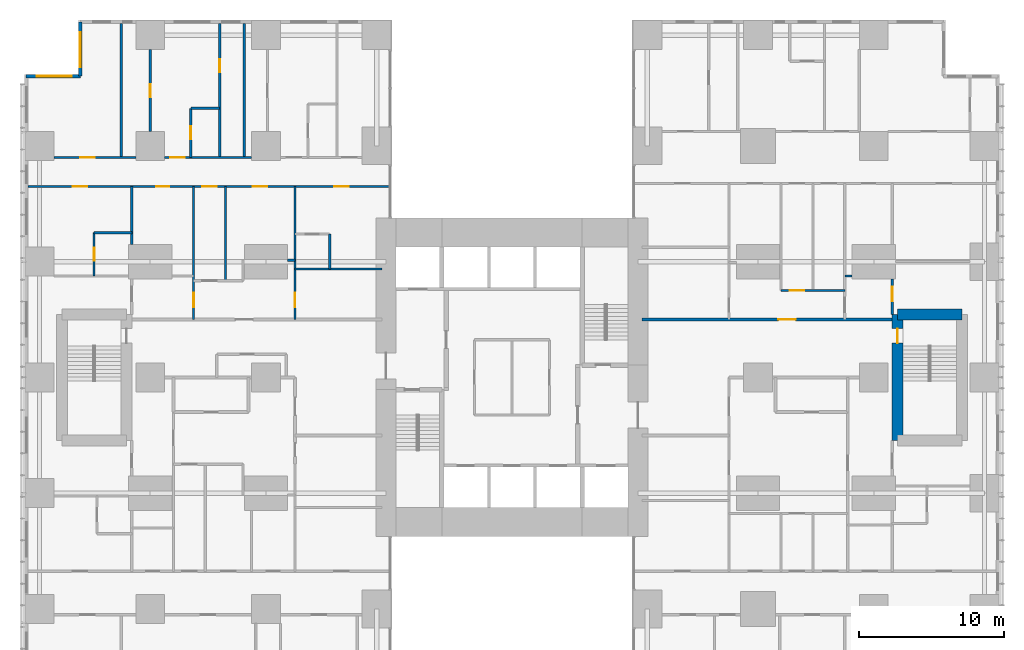
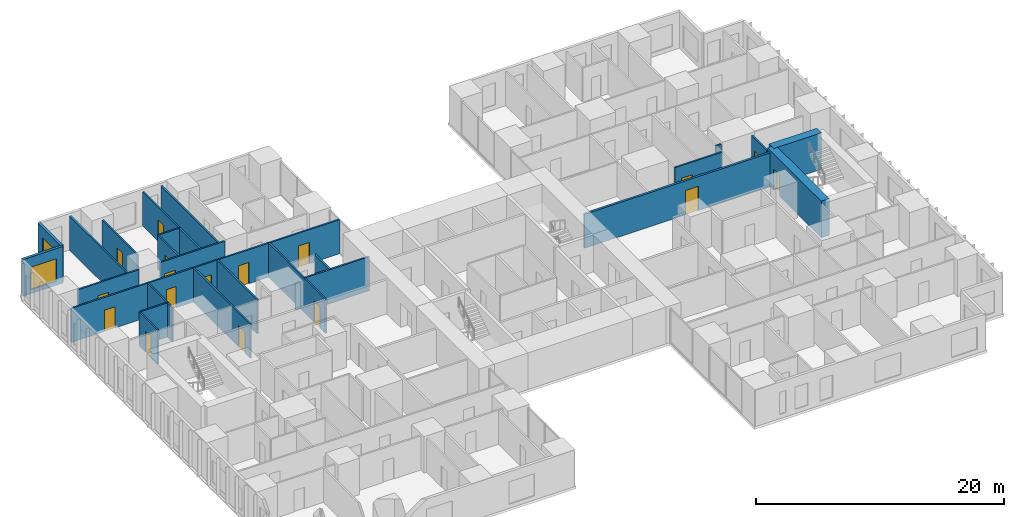
# One storey, part 16 of 20: 26 walls, 17 doors, 2 windows, 19 openings.
"""IFC4 building model written with IfcOpenShell, lengths in metres."""

from ifc_helpers import new_model, si_unit, direction, frame, frame_2d, origin, place, context, subcontext, project, spatial, rectangle, extrude, material, layer, layer_set, type_object, element, fill, save


model = new_model("IFC4")

# Units and contexts
model_context = context("Model", 3, precision=1e-05, world=origin(), true_north=direction((0.0, 1.0)))
body_context = subcontext(model_context, "Body", "Model", "MODEL_VIEW")
ifc_project = project(units=[si_unit("LENGTHUNIT", "METRE"), si_unit("AREAUNIT", "SQUARE_METRE"), si_unit("VOLUMEUNIT", "CUBIC_METRE"), si_unit("PLANEANGLEUNIT", "RADIAN"), si_unit("MASSUNIT", "GRAM", prefix="KILO")], contexts=[model_context])

# Site, building, storey
site_placement = place(None, origin())
site = spatial("IfcSite", under=ifc_project, at=site_placement, CompositionType="ELEMENT")
building_placement = place(site_placement, origin())
building = spatial("IfcBuilding", under=site, at=building_placement, Name="Cleftline Residences", CompositionType="ELEMENT")
storey_placement = place(building_placement, frame((0.0, 0.0, 114.199951171875)))
storey = spatial("IfcBuildingStorey", under=building, at=storey_placement, Name="L29", CompositionType="ELEMENT", Elevation=114.199951171875)

# Wall, opening, window
ifc_material_1 = material(Name="Rendered reinforced concrete blockwork", Category="masonry")
ifc_layer_1 = layer(ifc_material_1, 0.25)
ifc_layer_set_1 = layer_set([ifc_layer_1], Name="EXTERNAL WALL 250")
wall_type_1 = type_object("IfcWallType", Name="EXTERNAL WALL 250", PredefinedType="SOLIDWALL", material=ifc_layer_set_1)
wall_1_placement = place(storey_placement, frame((3.175048828125, 48.574951171875, 0.0), z_axis=(0.0, 0.0, 1.0), x_axis=(0.0, -1.0, 0.0)))
wall_1 = element("IfcWall", 1, at=wall_1_placement, inside=storey, type_object=wall_type_1, Name="External wall", PredefinedType="SOLIDWALL", context=body_context, shape_type="SweptSolid", body=[
    extrude(rectangle(XDim=3.75, YDim=0.25, at=frame_2d((1.875, 0.0))), origin(), (0.0, 0.0, 1.0), 3.60009765625),
])
opening_1_placement = place(wall_1_placement, frame((0.737548828125, 0.0, 0.39990234375)))
opening_1 = element("IfcOpeningElement", 2, at=opening_1_placement, cuts=wall_1, Name="Opening W12", PredefinedType="OPENING", context=body_context, shape_type="SweptSolid", body=[
    extrude(rectangle(XDim=2.39990234375, YDim=2.199951171875, at=frame_2d((1.199951171875, 1.10009765625))), frame((0.0, 0.135009765625, 0.0), z_axis=(0.0, -1.0, 0.0), x_axis=(1.0, 0.0, 0.0)), (0.0, 0.0, 1.0), 0.27001953125),
])
ifc_material_2 = material(Name="Aluminium frame, clear double glazing", Category="aluminium")
window_type = type_object("IfcWindowType", Name="WINDOW 2400X2200", PartitioningType="DOUBLE_PANEL_VERTICAL", PredefinedType="WINDOW", material=ifc_material_2)
window_1_placement = place(opening_1_placement, origin())
window_1 = element("IfcWindow", 3, at=window_1_placement, inside=storey, type_object=window_type, Name="Window", OverallHeight=2.199951171875, OverallWidth=2.39990234375, PartitioningType="SINGLE_PANEL", PredefinedType="WINDOW", context=body_context, shape_type="SweptSolid", body=[
    extrude(rectangle(XDim=2.39990234375, YDim=2.199951171875, at=frame_2d((1.199951171875, 1.10009765625))), frame((0.0, 0.030029296875, 0.0), z_axis=(0.0, -1.0, 0.0), x_axis=(1.0, 0.0, 0.0)), (0.0, 0.0, 1.0), 0.06005859375),
])
fill(opening_1, window_1)

wall_2_placement = place(storey_placement, frame((3.175048828125, 44.824951171875, 0.0), z_axis=(0.0, 0.0, 1.0), x_axis=(-1.0, 0.0, 0.0)))
wall_2 = element("IfcWall", 4, at=wall_2_placement, inside=storey, type_object=wall_type_1, Name="External wall", PredefinedType="SOLIDWALL", context=body_context, shape_type="SweptSolid", body=[
    extrude(rectangle(XDim=3.75, YDim=0.25, at=frame_2d((1.875, 0.0))), origin(), (0.0, 0.0, 1.0), 3.60009765625),
])
opening_2_placement = place(wall_2_placement, frame((0.612548828125, 0.0, 0.39990234375)))
opening_2 = element("IfcOpeningElement", 5, at=opening_2_placement, cuts=wall_2, Name="Opening W12", PredefinedType="OPENING", context=body_context, shape_type="SweptSolid", body=[
    extrude(rectangle(XDim=2.39990234375, YDim=2.199951171875, at=frame_2d((1.199951171875, 1.10009765625))), frame((0.0, 0.135009765625, 0.0), z_axis=(0.0, -1.0, 0.0), x_axis=(1.0, 0.0, 0.0)), (0.0, 0.0, 1.0), 0.27001953125),
])
window_2_placement = place(opening_2_placement, origin())
window_2 = element("IfcWindow", 6, at=window_2_placement, inside=storey, type_object=window_type, Name="Window", OverallHeight=2.199951171875, OverallWidth=2.39990234375, PartitioningType="SINGLE_PANEL", PredefinedType="WINDOW", context=body_context, shape_type="SweptSolid", body=[
    extrude(rectangle(XDim=2.39990234375, YDim=2.199951171875, at=frame_2d((1.199951171875, 1.10009765625))), frame((0.0, 0.030029296875, 0.0), z_axis=(0.0, -1.0, 0.0), x_axis=(1.0, 0.0, 0.0)), (0.0, 0.0, 1.0), 0.06005859375),
])
fill(opening_2, window_2)

# Wall, opening, door
ifc_material_3 = material(Name="Concrete blockwork, fire rated", Category="masonry")
ifc_layer_2 = layer(ifc_material_3, 0.199951171875)
ifc_layer_set_2 = layer_set([ifc_layer_2], Name="FIRE WALL 200")
wall_type_2 = type_object("IfcWallType", Name="FIRE WALL 200", PredefinedType="PARTITIONING", material=ifc_layer_set_2)
wall_3_placement = place(storey_placement, frame((42.0, 28.0, 0.0), z_axis=(0.0, 0.0, 1.0), x_axis=(1.0, 0.0, 0.0)))
wall_3 = element("IfcWall", 7, at=wall_3_placement, inside=storey, type_object=wall_type_2, Name="Fire separating wall", PredefinedType="PARTITIONING", context=body_context, shape_type="SweptSolid", body=[
    extrude(rectangle(XDim=17.27490234375, YDim=0.199951171875, at=frame_2d((8.637451171875, 0.0))), origin(), (0.0, 0.0, 1.0), 3.35009765625),
])
opening_3_placement = place(wall_3_placement, frame((9.39990234375, 0.0, 0.0)))
opening_3 = element("IfcOpeningElement", 8, at=opening_3_placement, cuts=wall_3, Name="Opening D4", PredefinedType="OPENING", context=body_context, shape_type="SweptSolid", body=[
    extrude(rectangle(XDim=1.199951171875, YDim=2.39990234375, at=frame_2d((0.60009765625, 1.199951171875))), frame((0.0, 0.10986328125, 0.0), z_axis=(0.0, -1.0, 0.0), x_axis=(1.0, 0.0, 0.0)), (0.0, 0.0, 1.0), 0.219970703125),
])
ifc_material_4 = material(Name="Timber veneer on solid core", Category="wood")
door_type_1 = type_object("IfcDoorType", Name="APARTMENT ENTRANCE DOOR 1200X2400", OperationType="SINGLE_SWING_RIGHT", PredefinedType="DOOR", material=ifc_material_4)
door_1_placement = place(opening_3_placement, origin())
door_1 = element("IfcDoor", 9, at=door_1_placement, inside=storey, type_object=door_type_1, Name="Door to residence entrance foyer", OperationType="SINGLE_SWING_LEFT", OverallHeight=2.39990234375, OverallWidth=1.199951171875, PredefinedType="DOOR", context=body_context, shape_type="SweptSolid", body=[
    extrude(rectangle(XDim=1.199951171875, YDim=2.39990234375, at=frame_2d((0.60009765625, 1.199951171875))), frame((0.0, 0.02490234375, 0.0), z_axis=(0.0, -1.0, 0.0), x_axis=(1.0, 0.0, 0.0)), (0.0, 0.0, 1.0), 0.050048828125),
])
fill(opening_3, door_1)

ifc_material_5 = material(Name="Gypsum board on steel studs", Category="steel")
ifc_layer_3 = layer(ifc_material_5, 0.14990234375)
ifc_layer_set_3 = layer_set([ifc_layer_3], Name="PARTITION 150")
wall_type_3 = type_object("IfcWallType", Name="PARTITION 150", PredefinedType="PARTITIONING", material=ifc_layer_set_3)
wall_4_placement = place(storey_placement, frame((51.60009765625, 30.0, 0.0), z_axis=(0.0, 0.0, 1.0), x_axis=(1.0, 0.0, 0.0)))
wall_4 = element("IfcWall", 10, at=wall_4_placement, inside=storey, type_object=wall_type_3, Name="Partition", PredefinedType="PARTITIONING", context=body_context, shape_type="SweptSolid", body=[
    extrude(rectangle(XDim=4.39990234375, YDim=0.14990234375, at=frame_2d((2.199951171875, 0.0))), origin(), (0.0, 0.0, 1.0), 3.35009765625),
])
opening_4_placement = place(wall_4_placement, frame((0.60009765625, 0.0, 0.0)))
opening_4 = element("IfcOpeningElement", 11, at=opening_4_placement, cuts=wall_4, Name="Opening D2", PredefinedType="OPENING", context=body_context, shape_type="SweptSolid", body=[
    extrude(rectangle(XDim=1.0, YDim=2.10009765625, at=frame_2d((0.5, 1.050048828125))), frame((0.0, 0.0849609375, 0.0), z_axis=(0.0, -1.0, 0.0), x_axis=(1.0, 0.0, 0.0)), (0.0, 0.0, 1.0), 0.169921875),
])
ifc_material_6 = material(Name="Timber veneer on solid core", Category="wood")
door_type_2 = type_object("IfcDoorType", Name="DOOR 1000X2100", OperationType="SINGLE_SWING_LEFT", PredefinedType="DOOR", material=ifc_material_6)
door_2_placement = place(opening_4_placement, origin())
door_2 = element("IfcDoor", 12, at=door_2_placement, inside=storey, type_object=door_type_2, Name="Door to residence passage", OperationType="SINGLE_SWING_RIGHT", OverallHeight=2.10009765625, OverallWidth=1.0, PredefinedType="DOOR", context=body_context, shape_type="SweptSolid", body=[
    extrude(rectangle(XDim=1.0, YDim=2.10009765625, at=frame_2d((0.5, 1.050048828125))), frame((0.0, 0.02490234375, 0.0), z_axis=(0.0, -1.0, 0.0), x_axis=(1.0, 0.0, 0.0)), (0.0, 0.0, 1.0), 0.050048828125),
])
fill(opening_4, door_2)

# Walls
wall_5_placement = place(storey_placement, frame((56.0, 31.0, 0.0), z_axis=(0.0, 0.0, 1.0), x_axis=(1.0, 0.0, 0.0)))
element("IfcWall", 13, at=wall_5_placement, inside=storey, type_object=wall_type_3, Name="Partition", PredefinedType="PARTITIONING", context=body_context, shape_type="SweptSolid", body=[
    extrude(rectangle(XDim=0.5, YDim=0.14990234375, at=frame_2d((0.25, 0.0))), origin(), (0.0, 0.0, 1.0), 3.35009765625),
])
wall_6_placement = place(storey_placement, frame((18.0, 31.5, 0.0), z_axis=(0.0, 0.0, 1.0), x_axis=(1.0, 0.0, 0.0)))
element("IfcWall", 14, at=wall_6_placement, inside=storey, type_object=wall_type_3, Name="Partition", PredefinedType="PARTITIONING", context=body_context, shape_type="SweptSolid", body=[
    extrude(rectangle(XDim=6.0, YDim=0.14990234375, at=frame_2d((3.0, 0.0))), origin(), (0.0, 0.0, 1.0), 3.35009765625),
])
wall_7_placement = place(storey_placement, frame((17.5, 32.10009765625, 0.0), z_axis=(0.0, 0.0, 1.0), x_axis=(1.0, 0.0, 0.0)))
element("IfcWall", 15, at=wall_7_placement, inside=storey, type_object=wall_type_3, Name="Partition", PredefinedType="PARTITIONING", context=body_context, shape_type="SweptSolid", body=[
    extrude(rectangle(XDim=0.5, YDim=0.14990234375, at=frame_2d((0.25, 0.0))), origin(), (0.0, 0.0, 1.0), 2.634033203125),
])
wall_8_placement = place(storey_placement, frame((4.125, 34.0, 0.0), z_axis=(0.0, 0.0, 1.0), x_axis=(1.0, 0.0, 0.0)))
element("IfcWall", 16, at=wall_8_placement, inside=storey, type_object=wall_type_3, Name="Partition", PredefinedType="PARTITIONING", context=body_context, shape_type="SweptSolid", body=[
    extrude(rectangle(XDim=2.60009765625, YDim=0.14990234375, at=frame_2d((1.300048828125, 0.0))), origin(), (0.0, 0.0, 1.0), 3.35009765625),
])

# Wall, openings, doors
wall_9_placement = place(storey_placement, frame((-0.449951171875, 37.199951171875, 0.0), z_axis=(0.0, 0.0, 1.0), x_axis=(1.0, 0.0, 0.0)))
wall_9 = element("IfcWall", 17, at=wall_9_placement, inside=storey, type_object=wall_type_3, Name="Partition", PredefinedType="PARTITIONING", context=body_context, shape_type="SweptSolid", body=[
    extrude(rectangle(XDim=25.010986328125, YDim=0.14990234375, at=frame_2d((12.50537109375, 0.0))), origin(), (0.0, 0.0, 1.0), 3.35009765625),
])
opening_5_placement = place(wall_9_placement, frame((12.050048828125, 0.0, 0.0)))
opening_5 = element("IfcOpeningElement", 18, at=opening_5_placement, cuts=wall_9, Name="Opening D2F30", PredefinedType="OPENING", context=body_context, shape_type="SweptSolid", body=[
    extrude(rectangle(XDim=1.0, YDim=2.10009765625, at=frame_2d((0.5, 1.050048828125))), frame((0.0, 0.0849609375, 0.0), z_axis=(0.0, -1.0, 0.0), x_axis=(1.0, 0.0, 0.0)), (0.0, 0.0, 1.0), 0.169921875),
])
opening_6_placement = place(wall_9_placement, frame((3.08740234375, 0.0, 0.0)))
opening_6 = element("IfcOpeningElement", 19, at=opening_6_placement, cuts=wall_9, Name="Opening D2F30", PredefinedType="OPENING", context=body_context, shape_type="SweptSolid", body=[
    extrude(rectangle(XDim=1.0, YDim=2.10009765625, at=frame_2d((0.5, 1.050048828125))), frame((0.0, 0.0849609375, 0.0), z_axis=(0.0, -1.0, 0.0), x_axis=(1.0, 0.0, 0.0)), (0.0, 0.0, 1.0), 0.169921875),
])
opening_7_placement = place(wall_9_placement, frame((8.862548828125, 0.0, 0.0)))
opening_7 = element("IfcOpeningElement", 20, at=opening_7_placement, cuts=wall_9, Name="Opening D1F30", PredefinedType="OPENING", context=body_context, shape_type="SweptSolid", body=[
    extrude(rectangle(XDim=0.89990234375, YDim=2.10009765625, at=frame_2d((0.449951171875, 1.050048828125))), frame((0.0, 0.0849609375, 0.0), z_axis=(0.0, -1.0, 0.0), x_axis=(1.0, 0.0, 0.0)), (0.0, 0.0, 1.0), 0.169921875),
])
opening_8_placement = place(wall_9_placement, frame((15.550048828125, 0.0, 0.0)))
opening_8 = element("IfcOpeningElement", 21, at=opening_8_placement, cuts=wall_9, Name="Opening D2F30", PredefinedType="OPENING", context=body_context, shape_type="SweptSolid", body=[
    extrude(rectangle(XDim=1.0, YDim=2.10009765625, at=frame_2d((0.5, 1.050048828125))), frame((0.0, 0.0849609375, 0.0), z_axis=(0.0, -1.0, 0.0), x_axis=(1.0, 0.0, 0.0)), (0.0, 0.0, 1.0), 0.169921875),
])
opening_9_placement = place(wall_9_placement, frame((21.175048828125, 0.0, 0.0)))
opening_9 = element("IfcOpeningElement", 22, at=opening_9_placement, cuts=wall_9, Name="Opening D2F30", PredefinedType="OPENING", context=body_context, shape_type="SweptSolid", body=[
    extrude(rectangle(XDim=1.0, YDim=2.10009765625, at=frame_2d((0.5, 1.050048828125))), frame((0.0, 0.0849609375, 0.0), z_axis=(0.0, -1.0, 0.0), x_axis=(1.0, 0.0, 0.0)), (0.0, 0.0, 1.0), 0.169921875),
])
ifc_material_7 = material(Name="Timber veneer on solid core", Category="wood")
door_type_3 = type_object("IfcDoorType", Name="DOOR 1000X2100 EI 30", OperationType="SINGLE_SWING_LEFT", PredefinedType="DOOR", material=ifc_material_7)
door_3_placement = place(opening_5_placement, origin())
door_3 = element("IfcDoor", 23, at=door_3_placement, inside=storey, type_object=door_type_3, Name="Door to residence corridor (bedrooms)", OperationType="SINGLE_SWING_LEFT", OverallHeight=2.10009765625, OverallWidth=1.0, PredefinedType="DOOR", context=body_context, shape_type="SweptSolid", body=[
    extrude(rectangle(XDim=1.0, YDim=2.10009765625, at=frame_2d((0.5, 1.050048828125))), frame((0.0, 0.02490234375, 0.0), z_axis=(0.0, -1.0, 0.0), x_axis=(1.0, 0.0, 0.0)), (0.0, 0.0, 1.0), 0.050048828125),
])
fill(opening_5, door_3)
door_4_placement = place(opening_6_placement, origin())
door_4 = element("IfcDoor", 24, at=door_4_placement, inside=storey, type_object=door_type_3, Name="Door to master bedroom", OperationType="SINGLE_SWING_RIGHT", OverallHeight=2.10009765625, OverallWidth=1.0, PredefinedType="DOOR", context=body_context, shape_type="SweptSolid", body=[
    extrude(rectangle(XDim=1.0, YDim=2.10009765625, at=frame_2d((0.5, 1.050048828125))), frame((0.0, 0.02490234375, 0.0), z_axis=(0.0, -1.0, 0.0), x_axis=(1.0, 0.0, 0.0)), (0.0, 0.0, 1.0), 0.050048828125),
])
fill(opening_6, door_4)
door_5_placement = place(opening_8_placement, origin())
door_5 = element("IfcDoor", 25, at=door_5_placement, inside=storey, type_object=door_type_3, Name="Door to family room", OperationType="SINGLE_SWING_LEFT", OverallHeight=2.10009765625, OverallWidth=1.0, PredefinedType="DOOR", context=body_context, shape_type="SweptSolid", body=[
    extrude(rectangle(XDim=1.0, YDim=2.10009765625, at=frame_2d((0.5, 1.050048828125))), frame((0.0, 0.02490234375, 0.0), z_axis=(0.0, -1.0, 0.0), x_axis=(1.0, 0.0, 0.0)), (0.0, 0.0, 1.0), 0.050048828125),
])
fill(opening_8, door_5)
door_6_placement = place(opening_9_placement, origin())
door_6 = element("IfcDoor", 26, at=door_6_placement, inside=storey, type_object=door_type_3, Name="Door to staff bedroom", OperationType="SINGLE_SWING_LEFT", OverallHeight=2.10009765625, OverallWidth=1.0, PredefinedType="DOOR", context=body_context, shape_type="SweptSolid", body=[
    extrude(rectangle(XDim=1.0, YDim=2.10009765625, at=frame_2d((0.5, 1.050048828125))), frame((0.0, 0.02490234375, 0.0), z_axis=(0.0, -1.0, 0.0), x_axis=(1.0, 0.0, 0.0)), (0.0, 0.0, 1.0), 0.050048828125),
])
fill(opening_9, door_6)
ifc_material_8 = material(Name="Timber veneer on solid core", Category="wood")
door_type_4 = type_object("IfcDoorType", Name="DOOR 900X2100 EI 30", OperationType="SINGLE_SWING_LEFT", PredefinedType="DOOR", material=ifc_material_8)
door_7_placement = place(opening_7_placement, origin())
door_7 = element("IfcDoor", 27, at=door_7_placement, inside=storey, type_object=door_type_4, Name="Door to guest bathroom", OperationType="SINGLE_SWING_RIGHT", OverallHeight=2.10009765625, OverallWidth=0.89990234375, PredefinedType="DOOR", context=body_context, shape_type="SweptSolid", body=[
    extrude(rectangle(XDim=0.89990234375, YDim=2.10009765625, at=frame_2d((0.449951171875, 1.050048828125))), frame((0.0, 0.02490234375, 0.0), z_axis=(0.0, -1.0, 0.0), x_axis=(1.0, 0.0, 0.0)), (0.0, 0.0, 1.0), 0.050048828125),
])
fill(opening_7, door_7)

# Wall, opening, door
wall_10_placement = place(storey_placement, frame((1.35009765625, 39.199951171875, 0.0), z_axis=(0.0, 0.0, 1.0), x_axis=(1.0, 0.0, 0.0)))
wall_10 = element("IfcWall", 28, at=wall_10_placement, inside=storey, type_object=wall_type_3, Name="Partition", PredefinedType="PARTITIONING", context=body_context, shape_type="SweptSolid", body=[
    extrude(rectangle(XDim=5.64990234375, YDim=0.14990234375, at=frame_2d((2.824951171875, 0.0))), origin(), (0.0, 0.0, 1.0), 3.35009765625),
])
opening_10_placement = place(wall_10_placement, frame((1.824951171875, 0.0, 0.0)))
opening_10 = element("IfcOpeningElement", 29, at=opening_10_placement, cuts=wall_10, Name="Opening D2", PredefinedType="OPENING", context=body_context, shape_type="SweptSolid", body=[
    extrude(rectangle(XDim=1.0, YDim=2.10009765625, at=frame_2d((0.5, 1.050048828125))), frame((0.0, 0.0849609375, 0.0), z_axis=(0.0, -1.0, 0.0), x_axis=(1.0, 0.0, 0.0)), (0.0, 0.0, 1.0), 0.169921875),
])
door_8_placement = place(opening_10_placement, origin())
door_8 = element("IfcDoor", 30, at=door_8_placement, inside=storey, type_object=door_type_2, Name="Door to gym", OperationType="SINGLE_SWING_RIGHT", OverallHeight=2.10009765625, OverallWidth=1.0, PredefinedType="DOOR", context=body_context, shape_type="SweptSolid", body=[
    extrude(rectangle(XDim=1.0, YDim=2.10009765625, at=frame_2d((0.5, 1.050048828125))), frame((0.0, 0.02490234375, 0.0), z_axis=(0.0, -1.0, 0.0), x_axis=(1.0, 0.0, 0.0)), (0.0, 0.0, 1.0), 0.050048828125),
])
fill(opening_10, door_8)

wall_11_placement = place(storey_placement, frame((9.0, 39.199951171875, 0.0), z_axis=(0.0, 0.0, 1.0), x_axis=(1.0, 0.0, 0.0)))
wall_11 = element("IfcWall", 31, at=wall_11_placement, inside=storey, type_object=wall_type_3, Name="Partition", PredefinedType="PARTITIONING", context=body_context, shape_type="SweptSolid", body=[
    extrude(rectangle(XDim=6.0, YDim=0.14990234375, at=frame_2d((3.0, 0.0))), origin(), (0.0, 0.0, 1.0), 3.35009765625),
])
opening_11_placement = place(wall_11_placement, frame((0.39990234375, 0.0, 0.0)))
opening_11 = element("IfcOpeningElement", 32, at=opening_11_placement, cuts=wall_11, Name="Opening D2", PredefinedType="OPENING", context=body_context, shape_type="SweptSolid", body=[
    extrude(rectangle(XDim=1.0, YDim=2.10009765625, at=frame_2d((0.5, 1.050048828125))), frame((0.0, 0.0849609375, 0.0), z_axis=(0.0, -1.0, 0.0), x_axis=(1.0, 0.0, 0.0)), (0.0, 0.0, 1.0), 0.169921875),
])
door_9_placement = place(opening_11_placement, origin())
door_9 = element("IfcDoor", 33, at=door_9_placement, inside=storey, type_object=door_type_2, Name="Door to bedroom 2", OperationType="SINGLE_SWING_RIGHT", OverallHeight=2.10009765625, OverallWidth=1.0, PredefinedType="DOOR", context=body_context, shape_type="SweptSolid", body=[
    extrude(rectangle(XDim=1.0, YDim=2.10009765625, at=frame_2d((0.5, 1.050048828125))), frame((0.0, 0.02490234375, 0.0), z_axis=(0.0, -1.0, 0.0), x_axis=(1.0, 0.0, 0.0)), (0.0, 0.0, 1.0), 0.050048828125),
])
fill(opening_11, door_9)

# Wall
wall_12_placement = place(storey_placement, frame((10.800048828125, 42.60009765625, 0.0), z_axis=(0.0, 0.0, 1.0), x_axis=(1.0, 0.0, 0.0)))
element("IfcWall", 34, at=wall_12_placement, inside=storey, type_object=wall_type_3, Name="Partition", PredefinedType="PARTITIONING", context=body_context, shape_type="SweptSolid", body=[
    extrude(rectangle(XDim=2.0, YDim=0.14990234375, at=frame_2d((1.0, 0.0))), origin(), (0.0, 0.0, 1.0), 3.35009765625),
])

# Wall, opening, door
wall_13_placement = place(storey_placement, frame((4.125, 31.0, 0.0), z_axis=(0.0, 0.0, 1.0), x_axis=(0.0, 1.0, 0.0)))
wall_13 = element("IfcWall", 35, at=wall_13_placement, inside=storey, type_object=wall_type_3, Name="Partition", PredefinedType="PARTITIONING", context=body_context, shape_type="SweptSolid", body=[
    extrude(rectangle(XDim=3.0, YDim=0.14990234375, at=frame_2d((1.5, 0.0))), origin(), (0.0, 0.0, 1.0), 3.35009765625),
])
opening_12_placement = place(wall_13_placement, frame((1.050048828125, 0.0, 0.0)))
opening_12 = element("IfcOpeningElement", 36, at=opening_12_placement, cuts=wall_13, Name="Opening D1", PredefinedType="OPENING", context=body_context, shape_type="SweptSolid", body=[
    extrude(rectangle(XDim=0.89990234375, YDim=2.10009765625, at=frame_2d((0.449951171875, 1.050048828125))), frame((0.0, 0.0849609375, 0.0), z_axis=(0.0, -1.0, 0.0), x_axis=(1.0, 0.0, 0.0)), (0.0, 0.0, 1.0), 0.169921875),
])
ifc_material_9 = material(Name="Timber veneer on solid core", Category="wood")
door_type_5 = type_object("IfcDoorType", Name="DOOR 900X2100", OperationType="SINGLE_SWING_LEFT", PredefinedType="DOOR", material=ifc_material_9)
door_10_placement = place(opening_12_placement, origin())
door_10 = element("IfcDoor", 37, at=door_10_placement, inside=storey, type_object=door_type_5, Name="Door to master bathroom", OperationType="SINGLE_SWING_LEFT", OverallHeight=2.10009765625, OverallWidth=0.89990234375, PredefinedType="DOOR", context=body_context, shape_type="SweptSolid", body=[
    extrude(rectangle(XDim=0.89990234375, YDim=2.10009765625, at=frame_2d((0.449951171875, 1.050048828125))), frame((0.0, 0.02490234375, 0.0), z_axis=(0.0, -1.0, 0.0), x_axis=(1.0, 0.0, 0.0)), (0.0, 0.0, 1.0), 0.050048828125),
])
fill(opening_12, door_10)

# Walls
wall_14_placement = place(storey_placement, frame((6.0, 39.199951171875, 0.0), z_axis=(0.0, 0.0, 1.0), x_axis=(0.0, 1.0, 0.0)))
element("IfcWall", 38, at=wall_14_placement, inside=storey, type_object=wall_type_3, Name="Partition", PredefinedType="PARTITIONING", context=body_context, shape_type="SweptSolid", body=[
    extrude(rectangle(XDim=9.25, YDim=0.14990234375, at=frame_2d((4.625, 0.0))), origin(), (0.0, 0.0, 1.0), 3.35009765625),
])
wall_15_placement = place(storey_placement, frame((6.72509765625, 33.199951171875, 0.0), z_axis=(0.0, 0.0, 1.0), x_axis=(0.0, 1.0, 0.0)))
element("IfcWall", 39, at=wall_15_placement, inside=storey, type_object=wall_type_3, Name="Partition", PredefinedType="PARTITIONING", context=body_context, shape_type="SweptSolid", body=[
    extrude(rectangle(XDim=4.0, YDim=0.14990234375, at=frame_2d((2.0, 0.0))), origin(), (0.0, 0.0, 1.0), 3.35009765625),
])

# Wall, opening, door
wall_16_placement = place(storey_placement, frame((8.0, 41.0, 0.0), z_axis=(0.0, 0.0, 1.0), x_axis=(0.0, 1.0, 0.0)))
wall_16 = element("IfcWall", 40, at=wall_16_placement, inside=storey, type_object=wall_type_3, Name="Partition", PredefinedType="PARTITIONING", context=body_context, shape_type="SweptSolid", body=[
    extrude(rectangle(XDim=5.64990234375, YDim=0.14990234375, at=frame_2d((2.824951171875, 0.0))), origin(), (0.0, 0.0, 1.0), 3.35009765625),
])
opening_13_placement = place(wall_16_placement, frame((2.375, 0.0, 0.0)))
opening_13 = element("IfcOpeningElement", 41, at=opening_13_placement, cuts=wall_16, Name="Opening D1", PredefinedType="OPENING", context=body_context, shape_type="SweptSolid", body=[
    extrude(rectangle(XDim=0.89990234375, YDim=2.10009765625, at=frame_2d((0.449951171875, 1.050048828125))), frame((0.0, 0.0849609375, 0.0), z_axis=(0.0, -1.0, 0.0), x_axis=(1.0, 0.0, 0.0)), (0.0, 0.0, 1.0), 0.169921875),
])
door_11_placement = place(opening_13_placement, origin())
door_11 = element("IfcDoor", 42, at=door_11_placement, inside=storey, type_object=door_type_5, Name="Door to walk-in wardrobe", OperationType="SINGLE_SWING_LEFT", OverallHeight=2.10009765625, OverallWidth=0.89990234375, PredefinedType="DOOR", context=body_context, shape_type="SweptSolid", body=[
    extrude(rectangle(XDim=0.89990234375, YDim=2.10009765625, at=frame_2d((0.449951171875, 1.050048828125))), frame((0.0, 0.02490234375, 0.0), z_axis=(0.0, -1.0, 0.0), x_axis=(1.0, 0.0, 0.0)), (0.0, 0.0, 1.0), 0.050048828125),
])
fill(opening_13, door_11)

wall_17_placement = place(storey_placement, frame((10.800048828125, 39.199951171875, 0.0), z_axis=(0.0, 0.0, 1.0), x_axis=(0.0, 1.0, 0.0)))
wall_17 = element("IfcWall", 43, at=wall_17_placement, inside=storey, type_object=wall_type_3, Name="Partition", PredefinedType="PARTITIONING", context=body_context, shape_type="SweptSolid", body=[
    extrude(rectangle(XDim=3.400146484375, YDim=0.14990234375, at=frame_2d((1.7001953125, 0.0))), origin(), (0.0, 0.0, 1.0), 3.35009765625),
])
opening_14_placement = place(wall_17_placement, frame((1.25, 0.0, 0.0)))
opening_14 = element("IfcOpeningElement", 44, at=opening_14_placement, cuts=wall_17, Name="Opening D1", PredefinedType="OPENING", context=body_context, shape_type="SweptSolid", body=[
    extrude(rectangle(XDim=0.89990234375, YDim=2.10009765625, at=frame_2d((0.449951171875, 1.050048828125))), frame((0.0, 0.0849609375, 0.0), z_axis=(0.0, -1.0, 0.0), x_axis=(1.0, 0.0, 0.0)), (0.0, 0.0, 1.0), 0.169921875),
])
door_12_placement = place(opening_14_placement, origin())
door_12 = element("IfcDoor", 45, at=door_12_placement, inside=storey, type_object=door_type_5, Name="Door to en-suite bathroom 2", OperationType="SINGLE_SWING_LEFT", OverallHeight=2.10009765625, OverallWidth=0.89990234375, PredefinedType="DOOR", context=body_context, shape_type="SweptSolid", body=[
    extrude(rectangle(XDim=0.89990234375, YDim=2.10009765625, at=frame_2d((0.449951171875, 1.050048828125))), frame((0.0, 0.02490234375, 0.0), z_axis=(0.0, -1.0, 0.0), x_axis=(1.0, 0.0, 0.0)), (0.0, 0.0, 1.0), 0.050048828125),
])
fill(opening_14, door_12)

wall_18_placement = place(storey_placement, frame((11.0, 28.0, 0.0), z_axis=(0.0, 0.0, 1.0), x_axis=(0.0, 1.0, 0.0)))
wall_18 = element("IfcWall", 46, at=wall_18_placement, inside=storey, type_object=wall_type_3, Name="Partition", PredefinedType="PARTITIONING", context=body_context, shape_type="SweptSolid", body=[
    extrude(rectangle(XDim=9.199951171875, YDim=0.14990234375, at=frame_2d((4.60009765625, 0.0))), origin(), (0.0, 0.0, 1.0), 3.35009765625),
])
opening_15_placement = place(wall_18_placement, frame((0.83740234375, 0.0, 0.0)))
opening_15 = element("IfcOpeningElement", 47, at=opening_15_placement, cuts=wall_18, Name="Opening D2F30", PredefinedType="OPENING", context=body_context, shape_type="SweptSolid", body=[
    extrude(rectangle(XDim=1.0, YDim=2.10009765625, at=frame_2d((0.5, 1.050048828125))), frame((0.0, 0.0849609375, 0.0), z_axis=(0.0, -1.0, 0.0), x_axis=(1.0, 0.0, 0.0)), (0.0, 0.0, 1.0), 0.169921875),
])
door_13_placement = place(opening_15_placement, origin())
door_13 = element("IfcDoor", 48, at=door_13_placement, inside=storey, type_object=door_type_3, Name="Door to residence lobby (service)", OperationType="SINGLE_SWING_RIGHT", OverallHeight=2.10009765625, OverallWidth=1.0, PredefinedType="DOOR", context=body_context, shape_type="SweptSolid", body=[
    extrude(rectangle(XDim=1.0, YDim=2.10009765625, at=frame_2d((0.5, 1.050048828125))), frame((0.0, 0.02490234375, 0.0), z_axis=(0.0, -1.0, 0.0), x_axis=(1.0, 0.0, 0.0)), (0.0, 0.0, 1.0), 0.050048828125),
])
fill(opening_15, door_13)

wall_19_placement = place(storey_placement, frame((12.800048828125, 39.199951171875, 0.0), z_axis=(0.0, 0.0, 1.0), x_axis=(0.0, 1.0, 0.0)))
wall_19 = element("IfcWall", 49, at=wall_19_placement, inside=storey, type_object=wall_type_3, Name="Partition", PredefinedType="PARTITIONING", context=body_context, shape_type="SweptSolid", body=[
    extrude(rectangle(XDim=9.25, YDim=0.14990234375, at=frame_2d((4.625, 0.0))), origin(), (0.0, 0.0, 1.0), 3.35009765625),
])
opening_16_placement = place(wall_19_placement, frame((5.875, 0.0, 0.0)))
opening_16 = element("IfcOpeningElement", 50, at=opening_16_placement, cuts=wall_19, Name="Opening D1", PredefinedType="OPENING", context=body_context, shape_type="SweptSolid", body=[
    extrude(rectangle(XDim=0.89990234375, YDim=2.10009765625, at=frame_2d((0.449951171875, 1.050048828125))), frame((0.0, 0.0849609375, 0.0), z_axis=(0.0, -1.0, 0.0), x_axis=(1.0, 0.0, 0.0)), (0.0, 0.0, 1.0), 0.169921875),
])
door_14_placement = place(opening_16_placement, origin())
door_14 = element("IfcDoor", 51, at=door_14_placement, inside=storey, type_object=door_type_5, Name="Door to walk-in wardrobe", OperationType="SINGLE_SWING_LEFT", OverallHeight=2.10009765625, OverallWidth=0.89990234375, PredefinedType="DOOR", context=body_context, shape_type="SweptSolid", body=[
    extrude(rectangle(XDim=0.89990234375, YDim=2.10009765625, at=frame_2d((0.449951171875, 1.050048828125))), frame((0.0, 0.02490234375, 0.0), z_axis=(0.0, -1.0, 0.0), x_axis=(1.0, 0.0, 0.0)), (0.0, 0.0, 1.0), 0.050048828125),
])
fill(opening_16, door_14)

# Walls
wall_20_placement = place(storey_placement, frame((13.199951171875, 30.675048828125, 0.0), z_axis=(0.0, 0.0, 1.0), x_axis=(0.0, 1.0, 0.0)))
element("IfcWall", 52, at=wall_20_placement, inside=storey, type_object=wall_type_3, Name="Partition", PredefinedType="PARTITIONING", context=body_context, shape_type="SweptSolid", body=[
    extrude(rectangle(XDim=6.52490234375, YDim=0.14990234375, at=frame_2d((3.262451171875, 0.0))), origin(), (0.0, 0.0, 1.0), 3.35009765625),
])
wall_21_placement = place(storey_placement, frame((14.5, 39.199951171875, 0.0), z_axis=(0.0, 0.0, 1.0), x_axis=(0.0, 1.0, 0.0)))
element("IfcWall", 53, at=wall_21_placement, inside=storey, type_object=wall_type_3, Name="Partition", PredefinedType="PARTITIONING", context=body_context, shape_type="SweptSolid", body=[
    extrude(rectangle(XDim=9.25, YDim=0.14990234375, at=frame_2d((4.625, 0.0))), origin(), (0.0, 0.0, 1.0), 3.35009765625),
])

# Wall, opening, door
wall_22_placement = place(storey_placement, frame((18.0, 28.0, 0.0), z_axis=(0.0, 0.0, 1.0), x_axis=(0.0, 1.0, 0.0)))
wall_22 = element("IfcWall", 54, at=wall_22_placement, inside=storey, type_object=wall_type_3, Name="Partition", PredefinedType="PARTITIONING", context=body_context, shape_type="SweptSolid", body=[
    extrude(rectangle(XDim=9.199951171875, YDim=0.14990234375, at=frame_2d((4.60009765625, 0.0))), origin(), (0.0, 0.0, 1.0), 3.35009765625),
])
opening_17_placement = place(wall_22_placement, frame((0.83740234375, 0.0, 0.0)))
opening_17 = element("IfcOpeningElement", 55, at=opening_17_placement, cuts=wall_22, Name="Opening D2", PredefinedType="OPENING", context=body_context, shape_type="SweptSolid", body=[
    extrude(rectangle(XDim=1.0, YDim=2.10009765625, at=frame_2d((0.5, 1.050048828125))), frame((0.0, 0.0849609375, 0.0), z_axis=(0.0, -1.0, 0.0), x_axis=(1.0, 0.0, 0.0)), (0.0, 0.0, 1.0), 0.169921875),
])
door_15_placement = place(opening_17_placement, origin())
door_15 = element("IfcDoor", 56, at=door_15_placement, inside=storey, type_object=door_type_2, Name="Door to morning kitchen", OperationType="SINGLE_SWING_RIGHT", OverallHeight=2.10009765625, OverallWidth=1.0, PredefinedType="DOOR", context=body_context, shape_type="SweptSolid", body=[
    extrude(rectangle(XDim=1.0, YDim=2.10009765625, at=frame_2d((0.5, 1.050048828125))), frame((0.0, 0.02490234375, 0.0), z_axis=(0.0, -1.0, 0.0), x_axis=(1.0, 0.0, 0.0)), (0.0, 0.0, 1.0), 0.050048828125),
])
fill(opening_17, door_15)

# Wall
wall_23_placement = place(storey_placement, frame((20.39990234375, 31.5, 0.0), z_axis=(0.0, 0.0, 1.0), x_axis=(0.0, 1.0, 0.0)))
element("IfcWall", 57, at=wall_23_placement, inside=storey, type_object=wall_type_3, Name="Partition", PredefinedType="PARTITIONING", context=body_context, shape_type="SweptSolid", body=[
    extrude(rectangle(XDim=2.39990234375, YDim=0.14990234375, at=frame_2d((1.199951171875, 0.0))), origin(), (0.0, 0.0, 1.0), 3.35009765625),
])

# Wall, opening, door
wall_24_placement = place(storey_placement, frame((59.27490234375, 28.35009765625, 0.0), z_axis=(0.0, 0.0, 1.0), x_axis=(0.0, 1.0, 0.0)))
wall_24 = element("IfcWall", 58, at=wall_24_placement, inside=storey, type_object=wall_type_3, Name="Partition", PredefinedType="PARTITIONING", context=body_context, shape_type="SweptSolid", body=[
    extrude(rectangle(XDim=2.449951171875, YDim=0.14990234375, at=frame_2d((1.22509765625, 0.0))), origin(), (0.0, 0.0, 1.0), 3.35009765625),
])
opening_18_placement = place(wall_24_placement, frame((0.91259765625, 0.0, 0.0)))
opening_18 = element("IfcOpeningElement", 59, at=opening_18_placement, cuts=wall_24, Name="Opening D2", PredefinedType="OPENING", context=body_context, shape_type="SweptSolid", body=[
    extrude(rectangle(XDim=1.0, YDim=2.10009765625, at=frame_2d((0.5, 1.050048828125))), frame((0.0, 0.0849609375, 0.0), z_axis=(0.0, -1.0, 0.0), x_axis=(1.0, 0.0, 0.0)), (0.0, 0.0, 1.0), 0.169921875),
])
door_16_placement = place(opening_18_placement, origin())
door_16 = element("IfcDoor", 60, at=door_16_placement, inside=storey, type_object=door_type_2, Name="Door to sea-view dining room", OperationType="SINGLE_SWING_LEFT", OverallHeight=2.10009765625, OverallWidth=1.0, PredefinedType="DOOR", context=body_context, shape_type="SweptSolid", body=[
    extrude(rectangle(XDim=1.0, YDim=2.10009765625, at=frame_2d((0.5, 1.050048828125))), frame((0.0, 0.02490234375, 0.0), z_axis=(0.0, -1.0, 0.0), x_axis=(1.0, 0.0, 0.0)), (0.0, 0.0, 1.0), 0.050048828125),
])
fill(opening_18, door_16)

# Wall
ifc_material_10 = material(Name="Concrete B70", Category="concrete")
ifc_layer_4 = layer(ifc_material_10, 0.75)
ifc_layer_set_4 = layer_set([ifc_layer_4], Name="SHEAR WALL 750")
wall_type_4 = type_object("IfcWallType", Name="SHEAR WALL 750", PredefinedType="SHEAR", material=ifc_layer_set_4)
wall_25_placement = place(storey_placement, frame((64.10009765625, 28.35009765625, 0.0), z_axis=(0.0, 0.0, 1.0), x_axis=(-1.0, 0.0, 0.0)))
element("IfcWall", 61, at=wall_25_placement, inside=storey, type_object=wall_type_4, Name="Wing shear wall", PredefinedType="SHEAR", context=body_context, shape_type="SweptSolid", body=[
    extrude(rectangle(XDim=4.4501953125, YDim=0.75, at=frame_2d((2.22509765625, 0.0))), origin(), (0.0, 0.0, 1.0), 3.60009765625),
])

# Wall, opening, door
wall_26_placement = place(storey_placement, frame((59.64990234375, 28.35009765625, 0.0), z_axis=(0.0, 0.0, 1.0), x_axis=(0.0, -1.0, 0.0)))
wall_26 = element("IfcWall", 62, at=wall_26_placement, inside=storey, type_object=wall_type_4, Name="Wing shear wall", PredefinedType="SHEAR", context=body_context, shape_type="SweptSolid", body=[
    extrude(rectangle(XDim=8.7001953125, YDim=0.75, at=frame_2d((4.35009765625, 0.0))), origin(), (0.0, 0.0, 1.0), 3.60009765625),
])
opening_19_placement = place(wall_26_placement, frame((0.97509765625, 0.0, 0.0)))
opening_19 = element("IfcOpeningElement", 63, at=opening_19_placement, cuts=wall_26, Name="Opening D5", PredefinedType="OPENING", context=body_context, shape_type="SweptSolid", body=[
    extrude(rectangle(XDim=1.0, YDim=2.10009765625, at=frame_2d((0.5, 1.050048828125))), frame((0.0, 0.385009765625, 0.0), z_axis=(0.0, -1.0, 0.0), x_axis=(1.0, 0.0, 0.0)), (0.0, 0.0, 1.0), 0.77001953125),
])
ifc_material_11 = material(Name="Steel", Category="steel")
door_type_6 = type_object("IfcDoorType", Name="STAIR DOOR 1000X2100", OperationType="SINGLE_SWING_LEFT", PredefinedType="DOOR", material=ifc_material_11)
door_17_placement = place(opening_19_placement, origin())
door_17 = element("IfcDoor", 64, at=door_17_placement, inside=storey, type_object=door_type_6, Name="Stair E door", OperationType="SINGLE_SWING_RIGHT", OverallHeight=2.10009765625, OverallWidth=1.0, PredefinedType="DOOR", context=body_context, shape_type="SweptSolid", body=[
    extrude(rectangle(XDim=1.0, YDim=2.10009765625, at=frame_2d((0.5, 1.050048828125))), frame((0.0, 0.02490234375, 0.0), z_axis=(0.0, -1.0, 0.0), x_axis=(1.0, 0.0, 0.0)), (0.0, 0.0, 1.0), 0.050048828125),
])
fill(opening_19, door_17)

save(model, "model.ifc")
